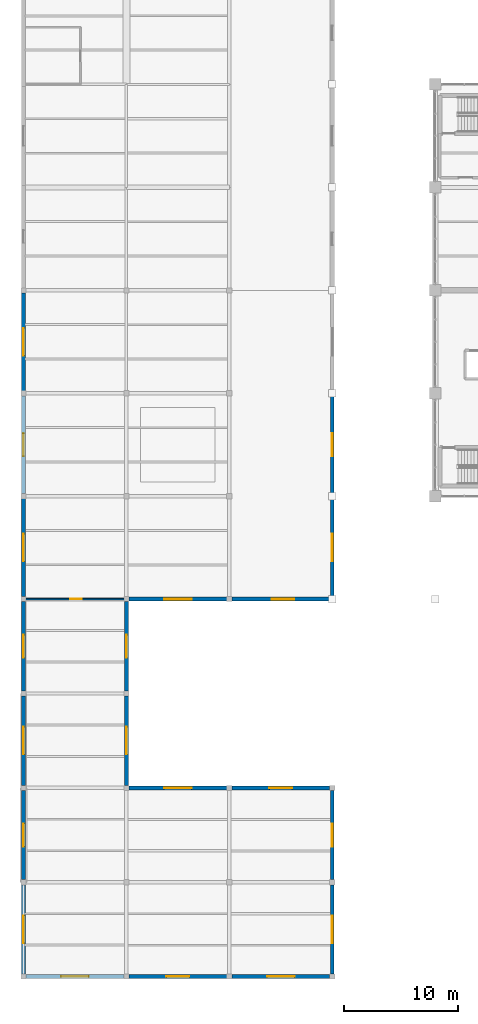
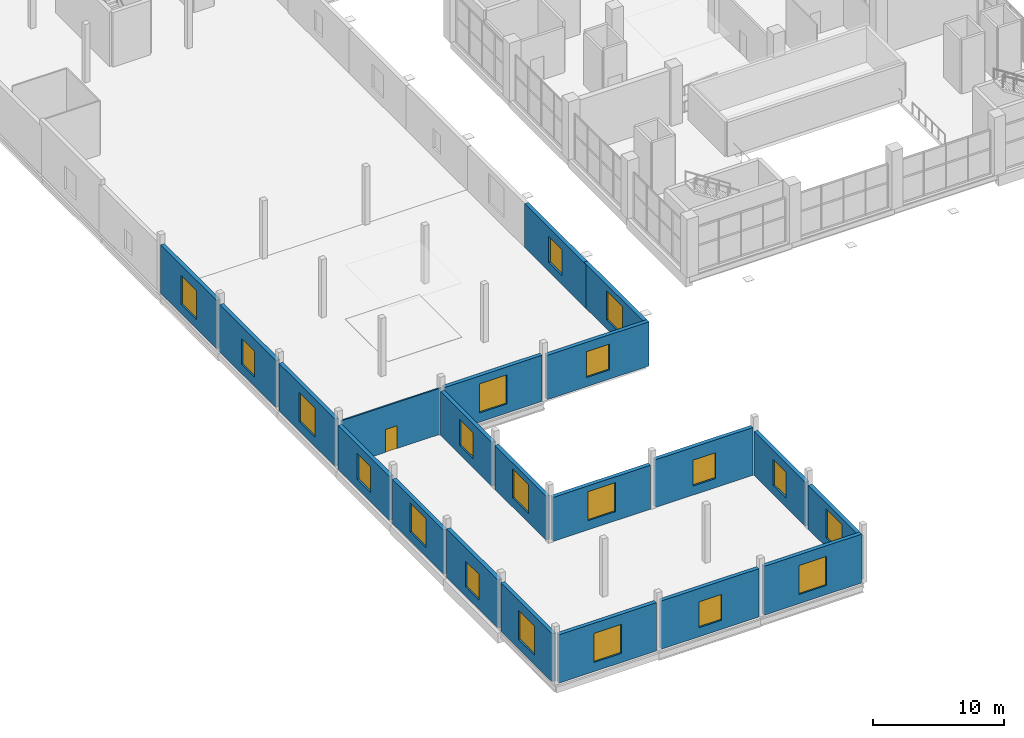
# One storey, part 128 of 147: 21 walls, 20 windows, 1 door, 21 openings.
"""IFC4 building model written with IfcOpenShell, lengths in metres."""

from ifc_helpers import new_model, si_unit, direction, frame, frame_2d, origin, place, context, subcontext, project, spatial, rectangle, extrude, material, layer, layer_set, type_object, element, fill, save


model = new_model("IFC4")

# Units and contexts
model_context = context("Model", 3, precision=1e-05, world=origin(), true_north=direction((0.0, 1.0)))
body_context = subcontext(model_context, "Body", "Model", "MODEL_VIEW")
ifc_project = project(units=[si_unit("LENGTHUNIT", "METRE"), si_unit("AREAUNIT", "SQUARE_METRE"), si_unit("VOLUMEUNIT", "CUBIC_METRE"), si_unit("PLANEANGLEUNIT", "RADIAN"), si_unit("MASSUNIT", "GRAM", prefix="KILO")], contexts=[model_context])

# Site, building, storey
site_placement = place(None, origin())
site = spatial("IfcSite", under=ifc_project, at=site_placement, CompositionType="ELEMENT")
building_placement = place(site_placement, origin())
building = spatial("IfcBuilding", under=site, at=building_placement, Name="Sundgate Opera House", CompositionType="ELEMENT")
storey_placement = place(building_placement, frame((0.0, 0.0, 6.0)))
storey = spatial("IfcBuildingStorey", under=building, at=storey_placement, Name="L01", CompositionType="ELEMENT", Elevation=6.0)

# Wall, opening, window
ifc_material_1 = material(Name="Komstad limestone ashlar masonry", Category="masonry")
ifc_layer_1 = layer(ifc_material_1, 0.340087890625)
ifc_layer_set_1 = layer_set([ifc_layer_1], Name="Komstad limestone ashlar masonry")
wall_type_1 = type_object("IfcWallType", Name="WL-EXT-COLON-340", PredefinedType="SOLIDWALL", material=ifc_layer_set_1)
wall_1_placement = place(storey_placement, frame((8.780029296875, 0.0, 0.0), z_axis=(0.0, 0.0, 1.0), x_axis=(-1.0, 0.0, 0.0)))
wall_1 = element("IfcWall", 1, at=wall_1_placement, inside=storey, type_object=wall_type_1, Name="L01 Harbour Bistro South Wall W0326", PredefinedType="SOLIDWALL", context=body_context, shape_type="SweptSolid", body=[
    extrude(rectangle(XDim=8.56005859375, YDim=0.340087890625, at=frame_2d((4.280029296875, 0.0))), origin(), (0.0, 0.0, 1.0), 4.485107421875),
])
opening_1_placement = place(wall_1_placement, frame((3.080078125, 0.0, 0.85009765625)))
opening_1 = element("IfcOpeningElement", 2, at=opening_1_placement, cuts=wall_1, Name="Opening W07", PredefinedType="OPENING", context=body_context, shape_type="SweptSolid", body=[
    extrude(rectangle(XDim=2.39990234375, YDim=2.699951171875, at=frame_2d((1.199951171875, 1.35009765625))), frame((0.0, 0.179931640625, 0.0), z_axis=(0.0, -1.0, 0.0), x_axis=(1.0, 0.0, 0.0)), (0.0, 0.0, 1.0), 0.360107421875),
])
ifc_material_2 = material(Name="Low-iron triple glazing in patinated bronze frame", Category="glass")
window_type_1 = type_object("IfcWindowType", Name="WN-HARB-2400x2700", PartitioningType="SINGLE_PANEL", PredefinedType="WINDOW", material=ifc_material_2)
window_1_placement = place(opening_1_placement, origin())
window_1 = element("IfcWindow", 3, at=window_1_placement, inside=storey, type_object=window_type_1, Name="L01 Harbour Window WN0243", OverallHeight=2.699951171875, OverallWidth=2.39990234375, PartitioningType="SINGLE_PANEL", PredefinedType="WINDOW", context=body_context, shape_type="SweptSolid", body=[
    extrude(rectangle(XDim=2.39990234375, YDim=2.699951171875, at=frame_2d((1.199951171875, 1.35009765625))), frame((0.0, 0.030029296875, 0.0), z_axis=(0.0, -1.0, 0.0), x_axis=(1.0, 0.0, 0.0)), (0.0, 0.0, 1.0), 0.06005859375),
])
fill(opening_1, window_1)

wall_2_placement = place(storey_placement, frame((17.780029296875, 0.0, 0.0), z_axis=(0.0, 0.0, 1.0), x_axis=(-1.0, 0.0, 0.0)))
wall_2 = element("IfcWall", 4, at=wall_2_placement, inside=storey, type_object=wall_type_1, Name="L01 Harbour Bistro South Wall W0327", PredefinedType="SOLIDWALL", context=body_context, shape_type="SweptSolid", body=[
    extrude(rectangle(XDim=8.56005859375, YDim=0.340087890625, at=frame_2d((4.280029296875, 0.0))), origin(), (0.0, 0.0, 1.0), 4.485107421875),
])
opening_2_placement = place(wall_2_placement, frame((3.280029296875, 0.0, 0.85009765625)))
opening_2 = element("IfcOpeningElement", 5, at=opening_2_placement, cuts=wall_2, Name="Opening W08", PredefinedType="OPENING", context=body_context, shape_type="SweptSolid", body=[
    extrude(rectangle(XDim=2.0, YDim=2.39990234375, at=frame_2d((1.0, 1.199951171875))), frame((0.0, 0.179931640625, 0.0), z_axis=(0.0, -1.0, 0.0), x_axis=(1.0, 0.0, 0.0)), (0.0, 0.0, 1.0), 0.360107421875),
])
ifc_material_3 = material(Name="Low-iron triple glazing in patinated bronze frame", Category="glass")
window_type_2 = type_object("IfcWindowType", Name="WN-HARB-2000x2400", PartitioningType="SINGLE_PANEL", PredefinedType="WINDOW", material=ifc_material_3)
window_2_placement = place(opening_2_placement, origin())
window_2 = element("IfcWindow", 6, at=window_2_placement, inside=storey, type_object=window_type_2, Name="L01 Harbour Window WN0244", OverallHeight=2.39990234375, OverallWidth=2.0, PartitioningType="SINGLE_PANEL", PredefinedType="WINDOW", context=body_context, shape_type="SweptSolid", body=[
    extrude(rectangle(XDim=2.0, YDim=2.39990234375, at=frame_2d((1.0, 1.199951171875))), frame((0.0, 0.030029296875, 0.0), z_axis=(0.0, -1.0, 0.0), x_axis=(1.0, 0.0, 0.0)), (0.0, 0.0, 1.0), 0.06005859375),
])
fill(opening_2, window_2)

wall_3_placement = place(storey_placement, frame((26.780029296875, 0.0, 0.0), z_axis=(0.0, 0.0, 1.0), x_axis=(-1.0, 0.0, 0.0)))
wall_3 = element("IfcWall", 7, at=wall_3_placement, inside=storey, type_object=wall_type_1, Name="L01 Harbour Bistro South Wall W0328", PredefinedType="SOLIDWALL", context=body_context, shape_type="SweptSolid", body=[
    extrude(rectangle(XDim=8.56005859375, YDim=0.340087890625, at=frame_2d((4.280029296875, 0.0))), origin(), (0.0, 0.0, 1.0), 4.534912109375),
])
opening_3_placement = place(wall_3_placement, frame((3.080078125, 0.0, 0.85009765625)))
opening_3 = element("IfcOpeningElement", 8, at=opening_3_placement, cuts=wall_3, Name="Opening W07", PredefinedType="OPENING", context=body_context, shape_type="SweptSolid", body=[
    extrude(rectangle(XDim=2.39990234375, YDim=2.699951171875, at=frame_2d((1.199951171875, 1.35009765625))), frame((0.0, 0.179931640625, 0.0), z_axis=(0.0, -1.0, 0.0), x_axis=(1.0, 0.0, 0.0)), (0.0, 0.0, 1.0), 0.360107421875),
])
window_3_placement = place(opening_3_placement, origin())
window_3 = element("IfcWindow", 9, at=window_3_placement, inside=storey, type_object=window_type_1, Name="L01 Harbour Window WN0245", OverallHeight=2.699951171875, OverallWidth=2.39990234375, PartitioningType="SINGLE_PANEL", PredefinedType="WINDOW", context=body_context, shape_type="SweptSolid", body=[
    extrude(rectangle(XDim=2.39990234375, YDim=2.699951171875, at=frame_2d((1.199951171875, 1.35009765625))), frame((0.0, 0.030029296875, 0.0), z_axis=(0.0, -1.0, 0.0), x_axis=(1.0, 0.0, 0.0)), (0.0, 0.0, 1.0), 0.06005859375),
])
fill(opening_3, window_3)

wall_4_placement = place(storey_placement, frame((0.0, 0.219970703125, 0.0), z_axis=(0.0, 0.0, 1.0), x_axis=(0.0, 1.0, 0.0)))
wall_4 = element("IfcWall", 10, at=wall_4_placement, inside=storey, type_object=wall_type_1, Name="L01 Harbour Bistro West Wall W0329", PredefinedType="SOLIDWALL", context=body_context, shape_type="SweptSolid", body=[
    extrude(rectangle(XDim=7.81005859375, YDim=0.340087890625, at=frame_2d((3.905029296875, 0.0))), origin(), (0.0, 0.0, 1.0), 4.485107421875),
])
opening_4_placement = place(wall_4_placement, frame((2.705078125, 0.0, 0.85009765625)))
opening_4 = element("IfcOpeningElement", 11, at=opening_4_placement, cuts=wall_4, Name="Opening W07", PredefinedType="OPENING", context=body_context, shape_type="SweptSolid", body=[
    extrude(rectangle(XDim=2.39990234375, YDim=2.699951171875, at=frame_2d((1.199951171875, 1.35009765625))), frame((0.0, 0.179931640625, 0.0), z_axis=(0.0, -1.0, 0.0), x_axis=(1.0, 0.0, 0.0)), (0.0, 0.0, 1.0), 0.360107421875),
])
window_4_placement = place(opening_4_placement, origin())
window_4 = element("IfcWindow", 12, at=window_4_placement, inside=storey, type_object=window_type_1, Name="L01 Harbour Window WN0246", OverallHeight=2.699951171875, OverallWidth=2.39990234375, PartitioningType="SINGLE_PANEL", PredefinedType="WINDOW", context=body_context, shape_type="SweptSolid", body=[
    extrude(rectangle(XDim=2.39990234375, YDim=2.699951171875, at=frame_2d((1.199951171875, 1.35009765625))), frame((0.0, 0.030029296875, 0.0), z_axis=(0.0, -1.0, 0.0), x_axis=(1.0, 0.0, 0.0)), (0.0, 0.0, 1.0), 0.06005859375),
])
fill(opening_4, window_4)

wall_5_placement = place(storey_placement, frame((0.0, 8.469970703125, 0.0), z_axis=(0.0, 0.0, 1.0), x_axis=(0.0, 1.0, 0.0)))
wall_5 = element("IfcWall", 13, at=wall_5_placement, inside=storey, type_object=wall_type_1, Name="L01 Harbour Bistro West Wall W0330", PredefinedType="SOLIDWALL", context=body_context, shape_type="SweptSolid", body=[
    extrude(rectangle(XDim=7.81005859375, YDim=0.340087890625, at=frame_2d((3.905029296875, 0.0))), origin(), (0.0, 0.0, 1.0), 4.485107421875),
])
opening_5_placement = place(wall_5_placement, frame((2.905029296875, 0.0, 0.85009765625)))
opening_5 = element("IfcOpeningElement", 14, at=opening_5_placement, cuts=wall_5, Name="Opening W08", PredefinedType="OPENING", context=body_context, shape_type="SweptSolid", body=[
    extrude(rectangle(XDim=2.0, YDim=2.39990234375, at=frame_2d((1.0, 1.199951171875))), frame((0.0, 0.179931640625, 0.0), z_axis=(0.0, -1.0, 0.0), x_axis=(1.0, 0.0, 0.0)), (0.0, 0.0, 1.0), 0.360107421875),
])
window_5_placement = place(opening_5_placement, origin())
window_5 = element("IfcWindow", 15, at=window_5_placement, inside=storey, type_object=window_type_2, Name="L01 Harbour Window WN0247", OverallHeight=2.39990234375, OverallWidth=2.0, PartitioningType="SINGLE_PANEL", PredefinedType="WINDOW", context=body_context, shape_type="SweptSolid", body=[
    extrude(rectangle(XDim=2.0, YDim=2.39990234375, at=frame_2d((1.0, 1.199951171875))), frame((0.0, 0.030029296875, 0.0), z_axis=(0.0, -1.0, 0.0), x_axis=(1.0, 0.0, 0.0)), (0.0, 0.0, 1.0), 0.06005859375),
])
fill(opening_5, window_5)

wall_6_placement = place(storey_placement, frame((0.0, 16.719970703125, 0.0), z_axis=(0.0, 0.0, 1.0), x_axis=(0.0, 1.0, 0.0)))
wall_6 = element("IfcWall", 16, at=wall_6_placement, inside=storey, type_object=wall_type_1, Name="L01 Harbour Bistro West Wall W0331", PredefinedType="SOLIDWALL", context=body_context, shape_type="SweptSolid", body=[
    extrude(rectangle(XDim=7.81005859375, YDim=0.340087890625, at=frame_2d((3.905029296875, 0.0))), origin(), (0.0, 0.0, 1.0), 4.0849609375),
])
opening_6_placement = place(wall_6_placement, frame((2.705078125, 0.0, 0.85009765625)))
opening_6 = element("IfcOpeningElement", 17, at=opening_6_placement, cuts=wall_6, Name="Opening W07", PredefinedType="OPENING", context=body_context, shape_type="SweptSolid", body=[
    extrude(rectangle(XDim=2.39990234375, YDim=2.699951171875, at=frame_2d((1.199951171875, 1.35009765625))), frame((0.0, 0.179931640625, 0.0), z_axis=(0.0, -1.0, 0.0), x_axis=(1.0, 0.0, 0.0)), (0.0, 0.0, 1.0), 0.360107421875),
])
window_6_placement = place(opening_6_placement, origin())
window_6 = element("IfcWindow", 18, at=window_6_placement, inside=storey, type_object=window_type_1, Name="L01 Harbour Window WN0248", OverallHeight=2.699951171875, OverallWidth=2.39990234375, PartitioningType="SINGLE_PANEL", PredefinedType="WINDOW", context=body_context, shape_type="SweptSolid", body=[
    extrude(rectangle(XDim=2.39990234375, YDim=2.699951171875, at=frame_2d((1.199951171875, 1.35009765625))), frame((0.0, 0.030029296875, 0.0), z_axis=(0.0, -1.0, 0.0), x_axis=(1.0, 0.0, 0.0)), (0.0, 0.0, 1.0), 0.06005859375),
])
fill(opening_6, window_6)

wall_7_placement = place(storey_placement, frame((0.0, 24.969970703125, 0.0), z_axis=(0.0, 0.0, 1.0), x_axis=(0.0, 1.0, 0.0)))
wall_7 = element("IfcWall", 19, at=wall_7_placement, inside=storey, type_object=wall_type_1, Name="L01 Harbour Bistro West Wall W0332", PredefinedType="SOLIDWALL", context=body_context, shape_type="SweptSolid", body=[
    extrude(rectangle(XDim=7.81005859375, YDim=0.340087890625, at=frame_2d((3.905029296875, 0.0))), origin(), (0.0, 0.0, 1.0), 4.0849609375),
])
opening_7_placement = place(wall_7_placement, frame((2.905029296875, 0.0, 0.85009765625)))
opening_7 = element("IfcOpeningElement", 20, at=opening_7_placement, cuts=wall_7, Name="Opening W08", PredefinedType="OPENING", context=body_context, shape_type="SweptSolid", body=[
    extrude(rectangle(XDim=2.0, YDim=2.39990234375, at=frame_2d((1.0, 1.199951171875))), frame((0.0, 0.179931640625, 0.0), z_axis=(0.0, -1.0, 0.0), x_axis=(1.0, 0.0, 0.0)), (0.0, 0.0, 1.0), 0.360107421875),
])
window_7_placement = place(opening_7_placement, origin())
window_7 = element("IfcWindow", 21, at=window_7_placement, inside=storey, type_object=window_type_2, Name="L01 Harbour Window WN0249", OverallHeight=2.39990234375, OverallWidth=2.0, PartitioningType="SINGLE_PANEL", PredefinedType="WINDOW", context=body_context, shape_type="SweptSolid", body=[
    extrude(rectangle(XDim=2.0, YDim=2.39990234375, at=frame_2d((1.0, 1.199951171875))), frame((0.0, 0.030029296875, 0.0), z_axis=(0.0, -1.0, 0.0), x_axis=(1.0, 0.0, 0.0)), (0.0, 0.0, 1.0), 0.06005859375),
])
fill(opening_7, window_7)

wall_8_placement = place(storey_placement, frame((0.0, 33.219970703125, 0.0), z_axis=(0.0, 0.0, 1.0), x_axis=(0.0, 1.0, 0.0)))
wall_8 = element("IfcWall", 22, at=wall_8_placement, inside=storey, type_object=wall_type_1, Name="L01 Harbour Bistro West Wall W0333", PredefinedType="SOLIDWALL", context=body_context, shape_type="SweptSolid", body=[
    extrude(rectangle(XDim=8.56005859375, YDim=0.340087890625, at=frame_2d((4.280029296875, 0.0))), origin(), (0.0, 0.0, 1.0), 4.385009765625),
])
opening_8_placement = place(wall_8_placement, frame((3.080078125, 0.0, 0.85009765625)))
opening_8 = element("IfcOpeningElement", 23, at=opening_8_placement, cuts=wall_8, Name="Opening W07", PredefinedType="OPENING", context=body_context, shape_type="SweptSolid", body=[
    extrude(rectangle(XDim=2.39990234375, YDim=2.699951171875, at=frame_2d((1.199951171875, 1.35009765625))), frame((0.0, 0.179931640625, 0.0), z_axis=(0.0, -1.0, 0.0), x_axis=(1.0, 0.0, 0.0)), (0.0, 0.0, 1.0), 0.360107421875),
])
window_8_placement = place(opening_8_placement, origin())
window_8 = element("IfcWindow", 24, at=window_8_placement, inside=storey, type_object=window_type_1, Name="L01 Harbour Window WN0250", OverallHeight=2.699951171875, OverallWidth=2.39990234375, PartitioningType="SINGLE_PANEL", PredefinedType="WINDOW", context=body_context, shape_type="SweptSolid", body=[
    extrude(rectangle(XDim=2.39990234375, YDim=2.699951171875, at=frame_2d((1.199951171875, 1.35009765625))), frame((0.0, 0.030029296875, 0.0), z_axis=(0.0, -1.0, 0.0), x_axis=(1.0, 0.0, 0.0)), (0.0, 0.0, 1.0), 0.06005859375),
])
fill(opening_8, window_8)

wall_9_placement = place(storey_placement, frame((0.0, 42.219970703125, 0.0), z_axis=(0.0, 0.0, 1.0), x_axis=(0.0, 1.0, 0.0)))
wall_9 = element("IfcWall", 25, at=wall_9_placement, inside=storey, type_object=wall_type_1, Name="L01 Harbour Bistro West Wall W0334", PredefinedType="SOLIDWALL", context=body_context, shape_type="SweptSolid", body=[
    extrude(rectangle(XDim=8.56005859375, YDim=0.340087890625, at=frame_2d((4.280029296875, 0.0))), origin(), (0.0, 0.0, 1.0), 4.385009765625),
])
opening_9_placement = place(wall_9_placement, frame((3.280029296875, 0.0, 0.85009765625)))
opening_9 = element("IfcOpeningElement", 26, at=opening_9_placement, cuts=wall_9, Name="Opening W08", PredefinedType="OPENING", context=body_context, shape_type="SweptSolid", body=[
    extrude(rectangle(XDim=2.0, YDim=2.39990234375, at=frame_2d((1.0, 1.199951171875))), frame((0.0, 0.179931640625, 0.0), z_axis=(0.0, -1.0, 0.0), x_axis=(1.0, 0.0, 0.0)), (0.0, 0.0, 1.0), 0.360107421875),
])
window_9_placement = place(opening_9_placement, origin())
window_9 = element("IfcWindow", 27, at=window_9_placement, inside=storey, type_object=window_type_2, Name="L01 Harbour Window WN0251", OverallHeight=2.39990234375, OverallWidth=2.0, PartitioningType="SINGLE_PANEL", PredefinedType="WINDOW", context=body_context, shape_type="SweptSolid", body=[
    extrude(rectangle(XDim=2.0, YDim=2.39990234375, at=frame_2d((1.0, 1.199951171875))), frame((0.0, 0.030029296875, 0.0), z_axis=(0.0, -1.0, 0.0), x_axis=(1.0, 0.0, 0.0)), (0.0, 0.0, 1.0), 0.06005859375),
])
fill(opening_9, window_9)

wall_10_placement = place(storey_placement, frame((0.0, 51.219970703125, 0.0), z_axis=(0.0, 0.0, 1.0), x_axis=(0.0, 1.0, 0.0)))
wall_10 = element("IfcWall", 28, at=wall_10_placement, inside=storey, type_object=wall_type_1, Name="L01 Harbour Bistro West Wall W0335", PredefinedType="SOLIDWALL", context=body_context, shape_type="SweptSolid", body=[
    extrude(rectangle(XDim=8.56005859375, YDim=0.340087890625, at=frame_2d((4.280029296875, 0.0))), origin(), (0.0, 0.0, 1.0), 4.485107421875),
])
opening_10_placement = place(wall_10_placement, frame((3.080078125, 0.0, 0.85009765625)))
opening_10 = element("IfcOpeningElement", 29, at=opening_10_placement, cuts=wall_10, Name="Opening W07", PredefinedType="OPENING", context=body_context, shape_type="SweptSolid", body=[
    extrude(rectangle(XDim=2.39990234375, YDim=2.699951171875, at=frame_2d((1.199951171875, 1.35009765625))), frame((0.0, 0.179931640625, 0.0), z_axis=(0.0, -1.0, 0.0), x_axis=(1.0, 0.0, 0.0)), (0.0, 0.0, 1.0), 0.360107421875),
])
window_10_placement = place(opening_10_placement, origin())
window_10 = element("IfcWindow", 30, at=window_10_placement, inside=storey, type_object=window_type_1, Name="L01 Harbour Window WN0252", OverallHeight=2.699951171875, OverallWidth=2.39990234375, PartitioningType="SINGLE_PANEL", PredefinedType="WINDOW", context=body_context, shape_type="SweptSolid", body=[
    extrude(rectangle(XDim=2.39990234375, YDim=2.699951171875, at=frame_2d((1.199951171875, 1.35009765625))), frame((0.0, 0.030029296875, 0.0), z_axis=(0.0, -1.0, 0.0), x_axis=(1.0, 0.0, 0.0)), (0.0, 0.0, 1.0), 0.06005859375),
])
fill(opening_10, window_10)

wall_11_placement = place(storey_placement, frame((27.0, 0.219970703125, 0.0), z_axis=(0.0, 0.0, 1.0), x_axis=(0.0, 1.0, 0.0)))
wall_11 = element("IfcWall", 31, at=wall_11_placement, inside=storey, type_object=wall_type_1, Name="L01 Harbour Bistro East Wall W0336", PredefinedType="SOLIDWALL", context=body_context, shape_type="SweptSolid", body=[
    extrude(rectangle(XDim=7.81005859375, YDim=0.340087890625, at=frame_2d((3.905029296875, 0.0))), origin(), (0.0, 0.0, 1.0), 4.0849609375),
])
opening_11_placement = place(wall_11_placement, frame((2.705078125, 0.0, 0.85009765625)))
opening_11 = element("IfcOpeningElement", 32, at=opening_11_placement, cuts=wall_11, Name="Opening W07", PredefinedType="OPENING", context=body_context, shape_type="SweptSolid", body=[
    extrude(rectangle(XDim=2.39990234375, YDim=2.699951171875, at=frame_2d((1.199951171875, 1.35009765625))), frame((0.0, 0.179931640625, 0.0), z_axis=(0.0, -1.0, 0.0), x_axis=(1.0, 0.0, 0.0)), (0.0, 0.0, 1.0), 0.360107421875),
])
window_11_placement = place(opening_11_placement, origin())
window_11 = element("IfcWindow", 33, at=window_11_placement, inside=storey, type_object=window_type_1, Name="L01 Harbour Window WN0253", OverallHeight=2.699951171875, OverallWidth=2.39990234375, PartitioningType="SINGLE_PANEL", PredefinedType="WINDOW", context=body_context, shape_type="SweptSolid", body=[
    extrude(rectangle(XDim=2.39990234375, YDim=2.699951171875, at=frame_2d((1.199951171875, 1.35009765625))), frame((0.0, 0.030029296875, 0.0), z_axis=(0.0, -1.0, 0.0), x_axis=(1.0, 0.0, 0.0)), (0.0, 0.0, 1.0), 0.06005859375),
])
fill(opening_11, window_11)

wall_12_placement = place(storey_placement, frame((27.0, 8.469970703125, 0.0), z_axis=(0.0, 0.0, 1.0), x_axis=(0.0, 1.0, 0.0)))
wall_12 = element("IfcWall", 34, at=wall_12_placement, inside=storey, type_object=wall_type_1, Name="L01 Harbour Bistro East Wall W0337", PredefinedType="SOLIDWALL", context=body_context, shape_type="SweptSolid", body=[
    extrude(rectangle(XDim=7.81005859375, YDim=0.340087890625, at=frame_2d((3.905029296875, 0.0))), origin(), (0.0, 0.0, 1.0), 4.0849609375),
])
opening_12_placement = place(wall_12_placement, frame((2.905029296875, 0.0, 0.85009765625)))
opening_12 = element("IfcOpeningElement", 35, at=opening_12_placement, cuts=wall_12, Name="Opening W08", PredefinedType="OPENING", context=body_context, shape_type="SweptSolid", body=[
    extrude(rectangle(XDim=2.0, YDim=2.39990234375, at=frame_2d((1.0, 1.199951171875))), frame((0.0, 0.179931640625, 0.0), z_axis=(0.0, -1.0, 0.0), x_axis=(1.0, 0.0, 0.0)), (0.0, 0.0, 1.0), 0.360107421875),
])
window_12_placement = place(opening_12_placement, origin())
window_12 = element("IfcWindow", 36, at=window_12_placement, inside=storey, type_object=window_type_2, Name="L01 Harbour Window WN0254", OverallHeight=2.39990234375, OverallWidth=2.0, PartitioningType="SINGLE_PANEL", PredefinedType="WINDOW", context=body_context, shape_type="SweptSolid", body=[
    extrude(rectangle(XDim=2.0, YDim=2.39990234375, at=frame_2d((1.0, 1.199951171875))), frame((0.0, 0.030029296875, 0.0), z_axis=(0.0, -1.0, 0.0), x_axis=(1.0, 0.0, 0.0)), (0.0, 0.0, 1.0), 0.06005859375),
])
fill(opening_12, window_12)

wall_13_placement = place(storey_placement, frame((27.0, 32.840087890625, 0.0), z_axis=(0.0, 0.0, 1.0), x_axis=(0.0, 1.0, 0.0)))
wall_13 = element("IfcWall", 37, at=wall_13_placement, inside=storey, type_object=wall_type_1, Name="L01 Harbour Bistro East Wall W0338", PredefinedType="SOLIDWALL", context=body_context, shape_type="SweptSolid", body=[
    extrude(rectangle(XDim=9.31982421875, YDim=0.340087890625, at=frame_2d((4.659912109375, 0.0))), origin(), (0.0, 0.0, 1.0), 4.114990234375),
])
opening_13_placement = place(wall_13_placement, frame((3.4599609375, 0.0, 0.85009765625)))
opening_13 = element("IfcOpeningElement", 38, at=opening_13_placement, cuts=wall_13, Name="Opening W07", PredefinedType="OPENING", context=body_context, shape_type="SweptSolid", body=[
    extrude(rectangle(XDim=2.39990234375, YDim=2.699951171875, at=frame_2d((1.199951171875, 1.35009765625))), frame((0.0, 0.179931640625, 0.0), z_axis=(0.0, -1.0, 0.0), x_axis=(1.0, 0.0, 0.0)), (0.0, 0.0, 1.0), 0.360107421875),
])
window_13_placement = place(opening_13_placement, origin())
window_13 = element("IfcWindow", 39, at=window_13_placement, inside=storey, type_object=window_type_1, Name="L01 Harbour Window WN0255", OverallHeight=2.699951171875, OverallWidth=2.39990234375, PartitioningType="SINGLE_PANEL", PredefinedType="WINDOW", context=body_context, shape_type="SweptSolid", body=[
    extrude(rectangle(XDim=2.39990234375, YDim=2.699951171875, at=frame_2d((1.199951171875, 1.35009765625))), frame((0.0, 0.030029296875, 0.0), z_axis=(0.0, -1.0, 0.0), x_axis=(1.0, 0.0, 0.0)), (0.0, 0.0, 1.0), 0.06005859375),
])
fill(opening_13, window_13)

wall_14_placement = place(storey_placement, frame((27.0, 41.840087890625, 0.0), z_axis=(0.0, 0.0, 1.0), x_axis=(0.0, 1.0, 0.0)))
wall_14 = element("IfcWall", 40, at=wall_14_placement, inside=storey, type_object=wall_type_1, Name="L01 Harbour Bistro East Wall W0339", PredefinedType="SOLIDWALL", context=body_context, shape_type="SweptSolid", body=[
    extrude(rectangle(XDim=9.31982421875, YDim=0.340087890625, at=frame_2d((4.659912109375, 0.0))), origin(), (0.0, 0.0, 1.0), 4.0849609375),
])
opening_14_placement = place(wall_14_placement, frame((3.659912109375, 0.0, 0.85009765625)))
opening_14 = element("IfcOpeningElement", 41, at=opening_14_placement, cuts=wall_14, Name="Opening W08", PredefinedType="OPENING", context=body_context, shape_type="SweptSolid", body=[
    extrude(rectangle(XDim=2.0, YDim=2.39990234375, at=frame_2d((1.0, 1.199951171875))), frame((0.0, 0.179931640625, 0.0), z_axis=(0.0, -1.0, 0.0), x_axis=(1.0, 0.0, 0.0)), (0.0, 0.0, 1.0), 0.360107421875),
])
window_14_placement = place(opening_14_placement, origin())
window_14 = element("IfcWindow", 42, at=window_14_placement, inside=storey, type_object=window_type_2, Name="L01 Harbour Window WN0256", OverallHeight=2.39990234375, OverallWidth=2.0, PartitioningType="SINGLE_PANEL", PredefinedType="WINDOW", context=body_context, shape_type="SweptSolid", body=[
    extrude(rectangle(XDim=2.0, YDim=2.39990234375, at=frame_2d((1.0, 1.199951171875))), frame((0.0, 0.030029296875, 0.0), z_axis=(0.0, -1.0, 0.0), x_axis=(1.0, 0.0, 0.0)), (0.0, 0.0, 1.0), 0.06005859375),
])
fill(opening_14, window_14)

wall_15_placement = place(storey_placement, frame((9.219970703125, 16.5, 0.0), z_axis=(0.0, 0.0, 1.0), x_axis=(1.0, 0.0, 0.0)))
wall_15 = element("IfcWall", 43, at=wall_15_placement, inside=storey, type_object=wall_type_1, Name="L01 Harbour Bistro Court_N Wall W0341", PredefinedType="SOLIDWALL", context=body_context, shape_type="SweptSolid", body=[
    extrude(rectangle(XDim=8.56005859375, YDim=0.340087890625, at=frame_2d((4.280029296875, 0.0))), origin(), (0.0, 0.0, 1.0), 4.0849609375),
])
opening_15_placement = place(wall_15_placement, frame((3.080078125, 0.0, 0.85009765625)))
opening_15 = element("IfcOpeningElement", 44, at=opening_15_placement, cuts=wall_15, Name="Opening W07", PredefinedType="OPENING", context=body_context, shape_type="SweptSolid", body=[
    extrude(rectangle(XDim=2.39990234375, YDim=2.699951171875, at=frame_2d((1.199951171875, 1.35009765625))), frame((0.0, 0.179931640625, 0.0), z_axis=(0.0, -1.0, 0.0), x_axis=(1.0, 0.0, 0.0)), (0.0, 0.0, 1.0), 0.360107421875),
])
window_15_placement = place(opening_15_placement, origin())
window_15 = element("IfcWindow", 45, at=window_15_placement, inside=storey, type_object=window_type_1, Name="L01 Harbour Window WN0258", OverallHeight=2.699951171875, OverallWidth=2.39990234375, PartitioningType="SINGLE_PANEL", PredefinedType="WINDOW", context=body_context, shape_type="SweptSolid", body=[
    extrude(rectangle(XDim=2.39990234375, YDim=2.699951171875, at=frame_2d((1.199951171875, 1.35009765625))), frame((0.0, 0.030029296875, 0.0), z_axis=(0.0, -1.0, 0.0), x_axis=(1.0, 0.0, 0.0)), (0.0, 0.0, 1.0), 0.06005859375),
])
fill(opening_15, window_15)

wall_16_placement = place(storey_placement, frame((18.219970703125, 16.5, 0.0), z_axis=(0.0, 0.0, 1.0), x_axis=(1.0, 0.0, 0.0)))
wall_16 = element("IfcWall", 46, at=wall_16_placement, inside=storey, type_object=wall_type_1, Name="L01 Harbour Bistro Court_N Wall W0342", PredefinedType="SOLIDWALL", context=body_context, shape_type="SweptSolid", body=[
    extrude(rectangle(XDim=8.56005859375, YDim=0.340087890625, at=frame_2d((4.280029296875, 0.0))), origin(), (0.0, 0.0, 1.0), 4.43505859375),
])
opening_16_placement = place(wall_16_placement, frame((3.280029296875, 0.0, 0.85009765625)))
opening_16 = element("IfcOpeningElement", 47, at=opening_16_placement, cuts=wall_16, Name="Opening W08", PredefinedType="OPENING", context=body_context, shape_type="SweptSolid", body=[
    extrude(rectangle(XDim=2.0, YDim=2.39990234375, at=frame_2d((1.0, 1.199951171875))), frame((0.0, 0.179931640625, 0.0), z_axis=(0.0, -1.0, 0.0), x_axis=(1.0, 0.0, 0.0)), (0.0, 0.0, 1.0), 0.360107421875),
])
window_16_placement = place(opening_16_placement, origin())
window_16 = element("IfcWindow", 48, at=window_16_placement, inside=storey, type_object=window_type_2, Name="L01 Harbour Window WN0259", OverallHeight=2.39990234375, OverallWidth=2.0, PartitioningType="SINGLE_PANEL", PredefinedType="WINDOW", context=body_context, shape_type="SweptSolid", body=[
    extrude(rectangle(XDim=2.0, YDim=2.39990234375, at=frame_2d((1.0, 1.199951171875))), frame((0.0, 0.030029296875, 0.0), z_axis=(0.0, -1.0, 0.0), x_axis=(1.0, 0.0, 0.0)), (0.0, 0.0, 1.0), 0.06005859375),
])
fill(opening_16, window_16)

wall_17_placement = place(storey_placement, frame((9.0, 16.719970703125, 0.0), z_axis=(0.0, 0.0, 1.0), x_axis=(0.0, 1.0, 0.0)))
wall_17 = element("IfcWall", 49, at=wall_17_placement, inside=storey, type_object=wall_type_1, Name="L01 Harbour Bistro Court_W Wall W0343", PredefinedType="SOLIDWALL", context=body_context, shape_type="SweptSolid", body=[
    extrude(rectangle(XDim=7.81005859375, YDim=0.340087890625, at=frame_2d((3.905029296875, 0.0))), origin(), (0.0, 0.0, 1.0), 4.0849609375),
])
opening_17_placement = place(wall_17_placement, frame((2.705078125, 0.0, 0.85009765625)))
opening_17 = element("IfcOpeningElement", 50, at=opening_17_placement, cuts=wall_17, Name="Opening W07", PredefinedType="OPENING", context=body_context, shape_type="SweptSolid", body=[
    extrude(rectangle(XDim=2.39990234375, YDim=2.699951171875, at=frame_2d((1.199951171875, 1.35009765625))), frame((0.0, 0.179931640625, 0.0), z_axis=(0.0, -1.0, 0.0), x_axis=(1.0, 0.0, 0.0)), (0.0, 0.0, 1.0), 0.360107421875),
])
window_17_placement = place(opening_17_placement, origin())
window_17 = element("IfcWindow", 51, at=window_17_placement, inside=storey, type_object=window_type_1, Name="L01 Harbour Window WN0260", OverallHeight=2.699951171875, OverallWidth=2.39990234375, PartitioningType="SINGLE_PANEL", PredefinedType="WINDOW", context=body_context, shape_type="SweptSolid", body=[
    extrude(rectangle(XDim=2.39990234375, YDim=2.699951171875, at=frame_2d((1.199951171875, 1.35009765625))), frame((0.0, 0.030029296875, 0.0), z_axis=(0.0, -1.0, 0.0), x_axis=(1.0, 0.0, 0.0)), (0.0, 0.0, 1.0), 0.06005859375),
])
fill(opening_17, window_17)

wall_18_placement = place(storey_placement, frame((9.0, 24.969970703125, 0.0), z_axis=(0.0, 0.0, 1.0), x_axis=(0.0, 1.0, 0.0)))
wall_18 = element("IfcWall", 52, at=wall_18_placement, inside=storey, type_object=wall_type_1, Name="L01 Harbour Bistro Court_W Wall W0344", PredefinedType="SOLIDWALL", context=body_context, shape_type="SweptSolid", body=[
    extrude(rectangle(XDim=7.81005859375, YDim=0.340087890625, at=frame_2d((3.905029296875, 0.0))), origin(), (0.0, 0.0, 1.0), 4.0849609375),
])
opening_18_placement = place(wall_18_placement, frame((2.905029296875, 0.0, 0.85009765625)))
opening_18 = element("IfcOpeningElement", 53, at=opening_18_placement, cuts=wall_18, Name="Opening W08", PredefinedType="OPENING", context=body_context, shape_type="SweptSolid", body=[
    extrude(rectangle(XDim=2.0, YDim=2.39990234375, at=frame_2d((1.0, 1.199951171875))), frame((0.0, 0.179931640625, 0.0), z_axis=(0.0, -1.0, 0.0), x_axis=(1.0, 0.0, 0.0)), (0.0, 0.0, 1.0), 0.360107421875),
])
window_18_placement = place(opening_18_placement, origin())
window_18 = element("IfcWindow", 54, at=window_18_placement, inside=storey, type_object=window_type_2, Name="L01 Harbour Window WN0261", OverallHeight=2.39990234375, OverallWidth=2.0, PartitioningType="SINGLE_PANEL", PredefinedType="WINDOW", context=body_context, shape_type="SweptSolid", body=[
    extrude(rectangle(XDim=2.0, YDim=2.39990234375, at=frame_2d((1.0, 1.199951171875))), frame((0.0, 0.030029296875, 0.0), z_axis=(0.0, -1.0, 0.0), x_axis=(1.0, 0.0, 0.0)), (0.0, 0.0, 1.0), 0.06005859375),
])
fill(opening_18, window_18)

wall_19_placement = place(storey_placement, frame((17.780029296875, 33.0, 0.0), z_axis=(0.0, 0.0, 1.0), x_axis=(-1.0, 0.0, 0.0)))
wall_19 = element("IfcWall", 55, at=wall_19_placement, inside=storey, type_object=wall_type_1, Name="L01 Harbour Bistro Court_S Wall W0345", PredefinedType="SOLIDWALL", context=body_context, shape_type="SweptSolid", body=[
    extrude(rectangle(XDim=8.56005859375, YDim=0.340087890625, at=frame_2d((4.280029296875, 0.0))), origin(), (0.0, 0.0, 1.0), 4.284912109375),
])
opening_19_placement = place(wall_19_placement, frame((3.080078125, 0.0, 0.85009765625)))
opening_19 = element("IfcOpeningElement", 56, at=opening_19_placement, cuts=wall_19, Name="Opening W07", PredefinedType="OPENING", context=body_context, shape_type="SweptSolid", body=[
    extrude(rectangle(XDim=2.39990234375, YDim=2.699951171875, at=frame_2d((1.199951171875, 1.35009765625))), frame((0.0, 0.179931640625, 0.0), z_axis=(0.0, -1.0, 0.0), x_axis=(1.0, 0.0, 0.0)), (0.0, 0.0, 1.0), 0.360107421875),
])
window_19_placement = place(opening_19_placement, origin())
window_19 = element("IfcWindow", 57, at=window_19_placement, inside=storey, type_object=window_type_1, Name="L01 Harbour Window WN0262", OverallHeight=2.699951171875, OverallWidth=2.39990234375, PartitioningType="SINGLE_PANEL", PredefinedType="WINDOW", context=body_context, shape_type="SweptSolid", body=[
    extrude(rectangle(XDim=2.39990234375, YDim=2.699951171875, at=frame_2d((1.199951171875, 1.35009765625))), frame((0.0, 0.030029296875, 0.0), z_axis=(0.0, -1.0, 0.0), x_axis=(1.0, 0.0, 0.0)), (0.0, 0.0, 1.0), 0.06005859375),
])
fill(opening_19, window_19)

wall_20_placement = place(storey_placement, frame((27.159912109375, 33.0, 0.0), z_axis=(0.0, 0.0, 1.0), x_axis=(-1.0, 0.0, 0.0)))
wall_20 = element("IfcWall", 58, at=wall_20_placement, inside=storey, type_object=wall_type_1, Name="L01 Harbour Bistro Court_S Wall W0346", PredefinedType="SOLIDWALL", context=body_context, shape_type="SweptSolid", body=[
    extrude(rectangle(XDim=8.93994140625, YDim=0.340087890625, at=frame_2d((4.469970703125, 0.0))), origin(), (0.0, 0.0, 1.0), 4.114990234375),
])
opening_20_placement = place(wall_20_placement, frame((3.469970703125, 0.0, 0.85009765625)))
opening_20 = element("IfcOpeningElement", 59, at=opening_20_placement, cuts=wall_20, Name="Opening W08", PredefinedType="OPENING", context=body_context, shape_type="SweptSolid", body=[
    extrude(rectangle(XDim=2.0, YDim=2.39990234375, at=frame_2d((1.0, 1.199951171875))), frame((0.0, 0.179931640625, 0.0), z_axis=(0.0, -1.0, 0.0), x_axis=(1.0, 0.0, 0.0)), (0.0, 0.0, 1.0), 0.360107421875),
])
window_20_placement = place(opening_20_placement, origin())
window_20 = element("IfcWindow", 60, at=window_20_placement, inside=storey, type_object=window_type_2, Name="L01 Harbour Window WN0263", OverallHeight=2.39990234375, OverallWidth=2.0, PartitioningType="SINGLE_PANEL", PredefinedType="WINDOW", context=body_context, shape_type="SweptSolid", body=[
    extrude(rectangle(XDim=2.0, YDim=2.39990234375, at=frame_2d((1.0, 1.199951171875))), frame((0.0, 0.030029296875, 0.0), z_axis=(0.0, -1.0, 0.0), x_axis=(1.0, 0.0, 0.0)), (0.0, 0.0, 1.0), 0.06005859375),
])
fill(opening_20, window_20)

# Wall, opening, door
ifc_material_4 = material(Name="Office and library partition", Category="gypsum")
ifc_layer_2 = layer(ifc_material_4, 0.1298828125)
ifc_layer_set_2 = layer_set([ifc_layer_2], Name="Office and library partition")
wall_type_2 = type_object("IfcWallType", Name="WL-INT-PART-130", PredefinedType="PARTITIONING", material=ifc_layer_set_2)
wall_21_placement = place(storey_placement, frame((0.199951171875, 33.0, 0.0), z_axis=(0.0, 0.0, 1.0), x_axis=(1.0, 0.0, 0.0)))
wall_21 = element("IfcWall", 61, at=wall_21_placement, inside=storey, type_object=wall_type_2, Name="L01 Interior Partition W1045", PredefinedType="PARTITIONING", context=body_context, shape_type="SweptSolid", body=[
    extrude(rectangle(XDim=8.800048828125, YDim=0.1298828125, at=frame_2d((4.39990234375, 0.0))), origin(), (0.0, 0.0, 1.0), 4.284912109375),
])
opening_21_placement = place(wall_21_placement, frame((3.89990234375, 0.0, 0.0)))
opening_21 = element("IfcOpeningElement", 62, at=opening_21_placement, cuts=wall_21, Name="Opening DI10", PredefinedType="OPENING", context=body_context, shape_type="SweptSolid", body=[
    extrude(rectangle(XDim=1.0, YDim=2.1201171875, at=frame_2d((0.5, 1.06005859375))), frame((0.0, 0.074951171875, 0.0), z_axis=(0.0, -1.0, 0.0), x_axis=(1.0, 0.0, 0.0)), (0.0, 0.0, 1.0), 0.14990234375),
])
ifc_material_5 = material(Name="Acoustic hardwood timber and steel core", Category="steel")
door_type = type_object("IfcDoorType", Name="DR-UNR-1000x2120", OperationType="NOTDEFINED", PredefinedType="DOOR", material=ifc_material_5)
door_placement = place(opening_21_placement, origin())
door = element("IfcDoor", 63, at=door_placement, inside=storey, type_object=door_type, Name="L01 Interior Door D0211", OperationType="SINGLE_SWING_RIGHT", OverallHeight=2.1201171875, OverallWidth=1.0, PredefinedType="DOOR", context=body_context, shape_type="SweptSolid", body=[
    extrude(rectangle(XDim=1.0, YDim=2.1201171875, at=frame_2d((0.5, 1.06005859375))), frame((0.0, 0.02490234375, 0.0), z_axis=(0.0, -1.0, 0.0), x_axis=(1.0, 0.0, 0.0)), (0.0, 0.0, 1.0), 0.050048828125),
])
fill(opening_21, door)

save(model, "model.ifc")
